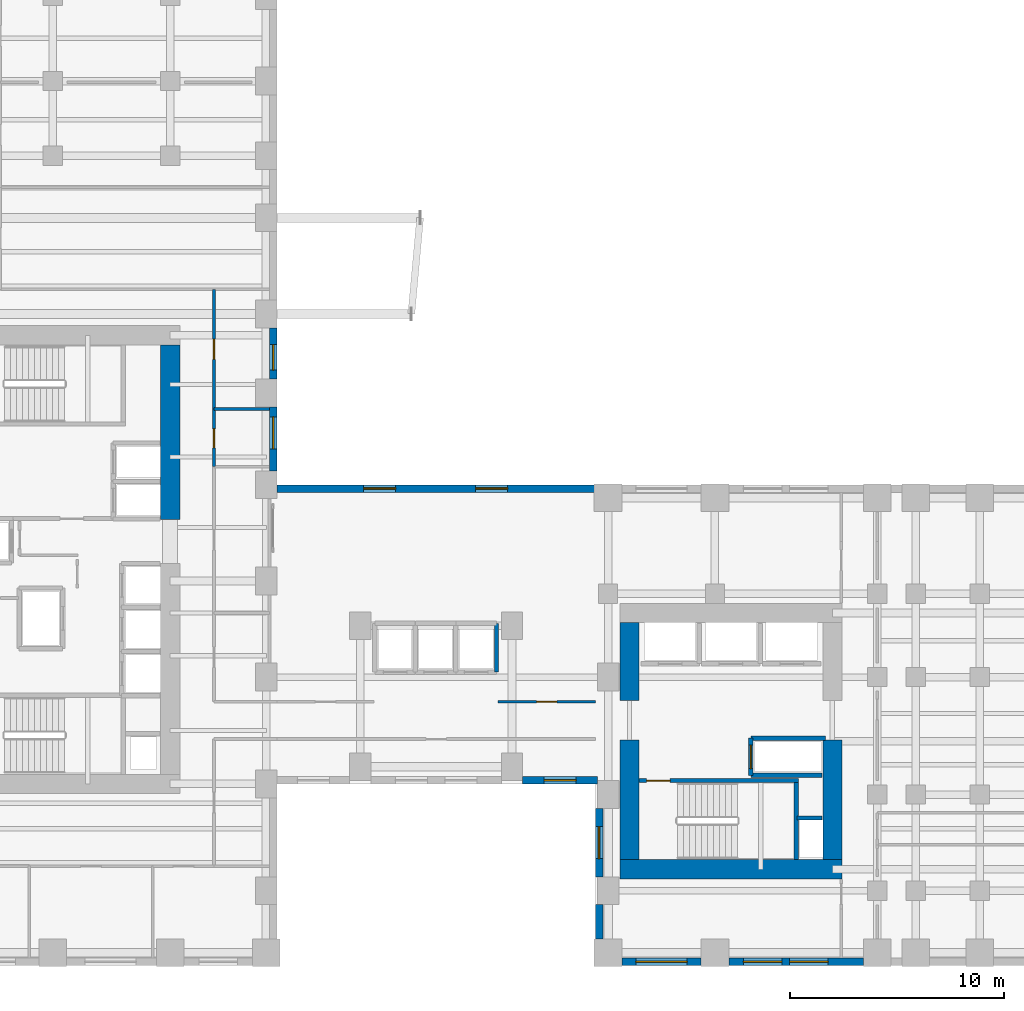
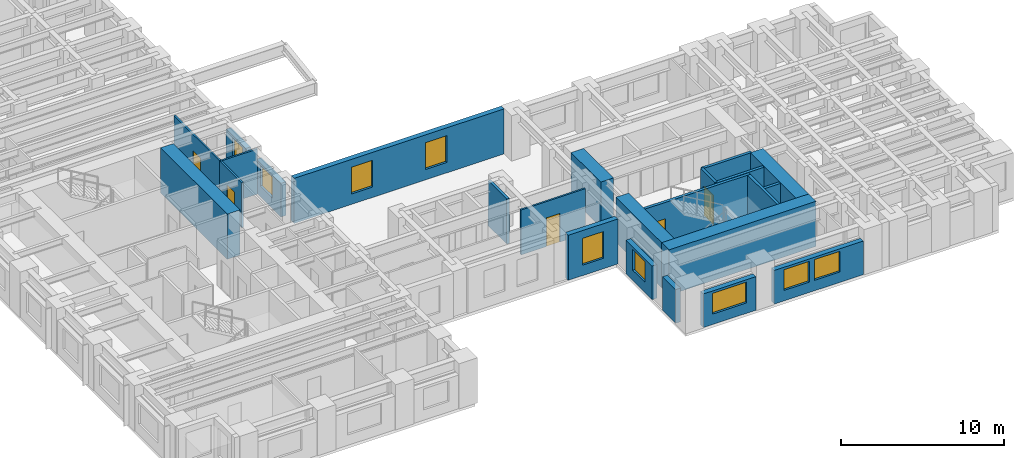
# One storey, part 9 of 15: 24 walls, 9 windows, 5 doors, 14 openings.
"""IFC4 building model written with IfcOpenShell, lengths in metres."""

from ifc_helpers import new_model, si_unit, direction, frame, frame_2d, origin, place, context, subcontext, project, spatial, rectangle, extrude, source, transform, mapped, material, layer, layer_set, type_object, element, fill, save


model = new_model("IFC4")

# Units and contexts
model_context = context("Model", 3, precision=1e-05, world=origin(), true_north=direction((0.0, 1.0)))
body_context = subcontext(model_context, "Body", "Model", "MODEL_VIEW")
ifc_project = project(units=[si_unit("LENGTHUNIT", "METRE"), si_unit("AREAUNIT", "SQUARE_METRE"), si_unit("VOLUMEUNIT", "CUBIC_METRE"), si_unit("PLANEANGLEUNIT", "RADIAN"), si_unit("MASSUNIT", "GRAM", prefix="KILO")], contexts=[model_context])

# Site, building, storey
site_placement = place(None, origin())
site = spatial("IfcSite", under=ifc_project, at=site_placement, CompositionType="ELEMENT")
building_placement = place(site_placement, origin())
building = spatial("IfcBuilding", under=site, at=building_placement, Name="Kharzan Plaza Tower", CompositionType="ELEMENT")
storey_placement = place(building_placement, frame((0.0, 0.0, 22.5)))
storey = spatial("IfcBuildingStorey", under=building, at=storey_placement, Name="L05", CompositionType="ELEMENT", Elevation=22.5)

# Wall, opening, window
ifc_material_1 = material(Name="Concrete C40/50", Category="concrete")
ifc_layer_1 = layer(ifc_material_1, 0.35009765625)
ifc_layer_set_1 = layer_set([ifc_layer_1], Name="Concrete C40/50")
wall_type_1 = type_object("IfcWallType", Name="WL-EXT-MAS-Z1", PredefinedType="SOLIDWALL", material=ifc_layer_set_1)
wall_1_placement = place(storey_placement, frame((30.998046875, 8.675048828125, 0.0), z_axis=(0.0, 0.0, 1.0), x_axis=(1.0, 0.0, 0.0)))
wall_1 = element("IfcWall", 1, at=wall_1_placement, inside=storey, type_object=wall_type_1, Name="L05 Masonry-Frame Exterior Wall 30", PredefinedType="SOLIDWALL", context=body_context, shape_type="SweptSolid", body=[
    extrude(rectangle(XDim=3.50390625, YDim=0.35009765625, at=frame_2d((1.751953125, 0.0))), origin(), (0.0, 0.0, 1.0), 3.364990234375),
])
opening_1_placement = place(wall_1_placement, frame((1.001953125, 0.0, 0.780029296875)))
opening_1 = element("IfcOpeningElement", 2, at=opening_1_placement, cuts=wall_1, Name="Opening W5", PredefinedType="OPENING", context=body_context, shape_type="SweptSolid", body=[
    extrude(rectangle(XDim=1.5, YDim=2.0, at=frame_2d((0.75, 1.0))), frame((0.0, 0.18505859375, 0.0), z_axis=(0.0, -1.0, 0.0), x_axis=(1.0, 0.0, 0.0)), (0.0, 0.0, 1.0), 0.3701171875),
])
ifc_material_2 = material(Name="Low-E Double Glazing", Category="glass")
window_type_1 = type_object("IfcWindowType", Name="WN-SLT-1500x2000", PartitioningType="SINGLE_PANEL", PredefinedType="WINDOW", material=ifc_material_2)
shared_shape_1 = source(origin(), body_context, "Body", "SweptSolid", [
    extrude(rectangle(XDim=1.5, YDim=2.0, at=frame_2d((0.75, 1.0))), frame((0.0, 0.030029296875, 0.0), z_axis=(0.0, -1.0, 0.0), x_axis=(1.0, 0.0, 0.0)), (0.0, 0.0, 1.0), 0.06005859375),
])
window_1_placement = place(opening_1_placement, origin())
window_1 = element("IfcWindow", 3, at=window_1_placement, inside=storey, type_object=window_type_1, Name="L05 Recessed Solar-Control Window 30-1", OverallHeight=2.0, OverallWidth=1.5, PartitioningType="SINGLE_PANEL", PredefinedType="WINDOW", context=body_context, shape_type="MappedRepresentation", body=[
    mapped(shared_shape_1, transform((0.0, 0.0, 0.0), x_axis=(1.0, 0.0, 0.0), y_axis=(0.0, 1.0, 0.0), z_axis=(0.0, 0.0, 1.0))),
])
fill(opening_1, window_1)

wall_2_placement = place(storey_placement, frame((34.574951171875, 7.35205078125, 0.0), z_axis=(0.0, 0.0, 1.0), x_axis=(0.0, -1.0, 0.0)))
wall_2 = element("IfcWall", 4, at=wall_2_placement, inside=storey, type_object=wall_type_1, Name="L05 Masonry-Frame Exterior Wall 31", PredefinedType="SOLIDWALL", context=body_context, shape_type="SweptSolid", body=[
    extrude(rectangle(XDim=3.2041015625, YDim=0.35009765625, at=frame_2d((1.60205078125, 0.0))), origin(), (0.0, 0.0, 1.0), 2.510009765625),
])
opening_2_placement = place(wall_2_placement, frame((0.85205078125, 0.0, 0.780029296875)))
opening_2 = element("IfcOpeningElement", 5, at=opening_2_placement, cuts=wall_2, Name="Opening W5", PredefinedType="OPENING", context=body_context, shape_type="SweptSolid", body=[
    extrude(rectangle(XDim=1.5, YDim=1.550048828125, at=frame_2d((0.75, 0.77490234375))), frame((0.0, 0.18505859375, 0.0), z_axis=(0.0, -1.0, 0.0), x_axis=(1.0, 0.0, 0.0)), (0.0, 0.0, 1.0), 0.3701171875),
])
shared_shape_2 = source(origin(), body_context, "Body", "SweptSolid", [
    extrude(rectangle(XDim=1.5, YDim=1.550048828125, at=frame_2d((0.75, 0.77490234375))), frame((0.0, 0.030029296875, 0.0), z_axis=(0.0, -1.0, 0.0), x_axis=(1.0, 0.0, 0.0)), (0.0, 0.0, 1.0), 0.06005859375),
])
window_2_placement = place(opening_2_placement, origin())
window_2 = element("IfcWindow", 6, at=window_2_placement, inside=storey, type_object=window_type_1, Name="L05 Recessed Solar-Control Window 31-1", OverallHeight=1.550048828125, OverallWidth=1.5, PartitioningType="SINGLE_PANEL", PredefinedType="WINDOW", context=body_context, shape_type="MappedRepresentation", body=[
    mapped(shared_shape_2, transform((0.0, 0.0, 0.0), x_axis=(1.0, 0.0, 0.0), y_axis=(0.0, 1.0, 0.0), z_axis=(0.0, 0.0, 1.0))),
])
fill(opening_2, window_2)

wall_3_placement = place(storey_placement, frame((35.64794921875, 0.175048828125, 0.0), z_axis=(0.0, 0.0, 1.0), x_axis=(1.0, 0.0, 0.0)))
wall_3 = element("IfcWall", 7, at=wall_3_placement, inside=storey, type_object=wall_type_1, Name="L05 Masonry-Frame Exterior Wall 33", PredefinedType="SOLIDWALL", context=body_context, shape_type="SweptSolid", body=[
    extrude(rectangle(XDim=3.7041015625, YDim=0.35009765625, at=frame_2d((1.85205078125, 0.0))), origin(), (0.0, 0.0, 1.0), 2.510009765625),
])
opening_3_placement = place(wall_3_placement, frame((0.652099609375, 0.0, 0.780029296875)))
opening_3 = element("IfcOpeningElement", 8, at=opening_3_placement, cuts=wall_3, Name="Opening W2", PredefinedType="OPENING", context=body_context, shape_type="SweptSolid", body=[
    extrude(rectangle(XDim=2.39990234375, YDim=1.550048828125, at=frame_2d((1.199951171875, 0.77490234375))), frame((0.0, 0.18505859375, 0.0), z_axis=(0.0, -1.0, 0.0), x_axis=(1.0, 0.0, 0.0)), (0.0, 0.0, 1.0), 0.3701171875),
])
window_type_2 = type_object("IfcWindowType", Name="WN-REC-2400x2100", PartitioningType="SINGLE_PANEL", PredefinedType="WINDOW", material=ifc_material_2)
shared_shape_3 = source(origin(), body_context, "Body", "SweptSolid", [
    extrude(rectangle(XDim=2.39990234375, YDim=1.550048828125, at=frame_2d((1.199951171875, 0.77490234375))), frame((0.0, 0.030029296875, 0.0), z_axis=(0.0, -1.0, 0.0), x_axis=(1.0, 0.0, 0.0)), (0.0, 0.0, 1.0), 0.06005859375),
])
window_3_placement = place(opening_3_placement, origin())
window_3 = element("IfcWindow", 9, at=window_3_placement, inside=storey, type_object=window_type_2, Name="L05 Wide Recessed Solar-Control Window 33-1", OverallHeight=1.550048828125, OverallWidth=2.39990234375, PartitioningType="SINGLE_PANEL", PredefinedType="WINDOW", context=body_context, shape_type="MappedRepresentation", body=[
    mapped(shared_shape_3, transform((0.0, 0.0, 0.0), x_axis=(1.0, 0.0, 0.0), y_axis=(0.0, 1.0, 0.0), z_axis=(0.0, 0.0, 1.0))),
])
fill(opening_3, window_3)

# Wall, openings, windows
wall_4_placement = place(storey_placement, frame((40.64794921875, 0.175048828125, 0.0), z_axis=(0.0, 0.0, 1.0), x_axis=(1.0, 0.0, 0.0)))
wall_4 = element("IfcWall", 10, at=wall_4_placement, inside=storey, type_object=wall_type_1, Name="L05 Masonry-Frame Exterior Wall 34", PredefinedType="SOLIDWALL", context=body_context, shape_type="SweptSolid", body=[
    extrude(rectangle(XDim=6.303955078125, YDim=0.35009765625, at=frame_2d((3.15185546875, 0.0))), origin(), (0.0, 0.0, 1.0), 2.510009765625),
])
opening_4_placement = place(wall_4_placement, frame((0.687255859375, 0.0, 0.780029296875)))
opening_4 = element("IfcOpeningElement", 11, at=opening_4_placement, cuts=wall_4, Name="Opening W1", PredefinedType="OPENING", context=body_context, shape_type="SweptSolid", body=[
    extrude(rectangle(XDim=1.800048828125, YDim=1.550048828125, at=frame_2d((0.89990234375, 0.77490234375))), frame((0.0, 0.18505859375, 0.0), z_axis=(0.0, -1.0, 0.0), x_axis=(1.0, 0.0, 0.0)), (0.0, 0.0, 1.0), 0.3701171875),
])
opening_5_placement = place(wall_4_placement, frame((2.854736328125, 0.0, 0.780029296875)))
opening_5 = element("IfcOpeningElement", 12, at=opening_5_placement, cuts=wall_4, Name="Opening W1", PredefinedType="OPENING", context=body_context, shape_type="SweptSolid", body=[
    extrude(rectangle(XDim=1.800048828125, YDim=1.550048828125, at=frame_2d((0.89990234375, 0.77490234375))), frame((0.0, 0.18505859375, 0.0), z_axis=(0.0, -1.0, 0.0), x_axis=(1.0, 0.0, 0.0)), (0.0, 0.0, 1.0), 0.3701171875),
])
window_type_3 = type_object("IfcWindowType", Name="WN-REC-1800x2100", PartitioningType="SINGLE_PANEL", PredefinedType="WINDOW", material=ifc_material_2)
shared_shape_4 = source(origin(), body_context, "Body", "SweptSolid", [
    extrude(rectangle(XDim=1.800048828125, YDim=1.550048828125, at=frame_2d((0.89990234375, 0.77490234375))), frame((0.0, 0.030029296875, 0.0), z_axis=(0.0, -1.0, 0.0), x_axis=(1.0, 0.0, 0.0)), (0.0, 0.0, 1.0), 0.06005859375),
])
window_4_placement = place(opening_4_placement, origin())
window_4 = element("IfcWindow", 13, at=window_4_placement, inside=storey, type_object=window_type_3, Name="L05 Recessed Solar-Control Window 34-1", OverallHeight=1.550048828125, OverallWidth=1.800048828125, PartitioningType="SINGLE_PANEL", PredefinedType="WINDOW", context=body_context, shape_type="MappedRepresentation", body=[
    mapped(shared_shape_4, transform((0.0, 0.0, 0.0), x_axis=(1.0, 0.0, 0.0), y_axis=(0.0, 1.0, 0.0), z_axis=(0.0, 0.0, 1.0))),
])
fill(opening_4, window_4)
window_5_placement = place(opening_5_placement, origin())
window_5 = element("IfcWindow", 14, at=window_5_placement, inside=storey, type_object=window_type_3, Name="L05 Recessed Solar-Control Window 34-2", OverallHeight=1.550048828125, OverallWidth=1.800048828125, PartitioningType="SINGLE_PANEL", PredefinedType="WINDOW", context=body_context, shape_type="MappedRepresentation", body=[
    mapped(shared_shape_4, transform((0.0, 0.0, 0.0), x_axis=(1.0, 0.0, 0.0), y_axis=(0.0, 1.0, 0.0), z_axis=(0.0, 0.0, 1.0))),
])
fill(opening_5, window_5)

wall_5_placement = place(storey_placement, frame((34.35205078125, 22.324951171875, 0.0), z_axis=(0.0, 0.0, 1.0), x_axis=(-1.0, 0.0, 0.0)))
wall_5 = element("IfcWall", 15, at=wall_5_placement, inside=storey, type_object=wall_type_1, Name="L05 Masonry-Frame Exterior Wall 53", PredefinedType="SOLIDWALL", context=body_context, shape_type="SweptSolid", body=[
    extrude(rectangle(XDim=14.85400390625, YDim=0.35009765625, at=frame_2d((7.427001953125, 0.0))), origin(), (0.0, 0.0, 1.0), 3.364990234375),
])
opening_6_placement = place(wall_5_placement, frame((4.05810546875, 0.0, 0.780029296875)))
opening_6 = element("IfcOpeningElement", 16, at=opening_6_placement, cuts=wall_5, Name="Opening W5", PredefinedType="OPENING", context=body_context, shape_type="SweptSolid", body=[
    extrude(rectangle(XDim=1.5, YDim=2.0, at=frame_2d((0.75, 1.0))), frame((0.0, 0.18505859375, 0.0), z_axis=(0.0, -1.0, 0.0), x_axis=(1.0, 0.0, 0.0)), (0.0, 0.0, 1.0), 0.3701171875),
])
opening_7_placement = place(wall_5_placement, frame((9.2958984375, 0.0, 0.780029296875)))
opening_7 = element("IfcOpeningElement", 17, at=opening_7_placement, cuts=wall_5, Name="Opening W5", PredefinedType="OPENING", context=body_context, shape_type="SweptSolid", body=[
    extrude(rectangle(XDim=1.5, YDim=2.0, at=frame_2d((0.75, 1.0))), frame((0.0, 0.18505859375, 0.0), z_axis=(0.0, -1.0, 0.0), x_axis=(1.0, 0.0, 0.0)), (0.0, 0.0, 1.0), 0.3701171875),
])
window_6_placement = place(opening_6_placement, origin())
window_6 = element("IfcWindow", 18, at=window_6_placement, inside=storey, type_object=window_type_1, Name="L05 Recessed Solar-Control Window 53-1", OverallHeight=2.0, OverallWidth=1.5, PartitioningType="SINGLE_PANEL", PredefinedType="WINDOW", context=body_context, shape_type="MappedRepresentation", body=[
    mapped(shared_shape_1, transform((0.0, 0.0, 0.0), x_axis=(1.0, 0.0, 0.0), y_axis=(0.0, 1.0, 0.0), z_axis=(0.0, 0.0, 1.0))),
])
fill(opening_6, window_6)
window_7_placement = place(opening_7_placement, origin())
window_7 = element("IfcWindow", 19, at=window_7_placement, inside=storey, type_object=window_type_1, Name="L05 Recessed Solar-Control Window 53-2", OverallHeight=2.0, OverallWidth=1.5, PartitioningType="SINGLE_PANEL", PredefinedType="WINDOW", context=body_context, shape_type="MappedRepresentation", body=[
    mapped(shared_shape_1, transform((0.0, 0.0, 0.0), x_axis=(1.0, 0.0, 0.0), y_axis=(0.0, 1.0, 0.0), z_axis=(0.0, 0.0, 1.0))),
])
fill(opening_7, window_7)

# Wall, opening, window
wall_6_placement = place(storey_placement, frame((19.324951171875, 23.14794921875, 0.0), z_axis=(0.0, 0.0, 1.0), x_axis=(0.0, 1.0, 0.0)))
wall_6 = element("IfcWall", 20, at=wall_6_placement, inside=storey, type_object=wall_type_1, Name="L05 Masonry-Frame Exterior Wall 54", PredefinedType="SOLIDWALL", context=body_context, shape_type="SweptSolid", body=[
    extrude(rectangle(XDim=3.004150390625, YDim=0.35009765625, at=frame_2d((1.501953125, 0.0))), origin(), (0.0, 0.0, 1.0), 2.510009765625),
])
opening_8_placement = place(wall_6_placement, frame((1.030517578125, 0.0, 0.780029296875)))
opening_8 = element("IfcOpeningElement", 21, at=opening_8_placement, cuts=wall_6, Name="Opening W5", PredefinedType="OPENING", context=body_context, shape_type="SweptSolid", body=[
    extrude(rectangle(XDim=1.5, YDim=1.550048828125, at=frame_2d((0.75, 0.77490234375))), frame((0.0, 0.18505859375, 0.0), z_axis=(0.0, -1.0, 0.0), x_axis=(1.0, 0.0, 0.0)), (0.0, 0.0, 1.0), 0.3701171875),
])
window_8_placement = place(opening_8_placement, origin())
window_8 = element("IfcWindow", 22, at=window_8_placement, inside=storey, type_object=window_type_1, Name="L05 Recessed Solar-Control Window 54-1", OverallHeight=1.550048828125, OverallWidth=1.5, PartitioningType="SINGLE_PANEL", PredefinedType="WINDOW", context=body_context, shape_type="MappedRepresentation", body=[
    mapped(shared_shape_2, transform((0.0, 0.0, 0.0), x_axis=(1.0, 0.0, 0.0), y_axis=(0.0, 1.0, 0.0), z_axis=(0.0, 0.0, 1.0))),
])
fill(opening_8, window_8)

wall_7_placement = place(storey_placement, frame((19.324951171875, 27.447998046875, 0.0), z_axis=(0.0, 0.0, 1.0), x_axis=(0.0, 1.0, 0.0)))
wall_7 = element("IfcWall", 23, at=wall_7_placement, inside=storey, type_object=wall_type_1, Name="L05 Masonry-Frame Exterior Wall 55", PredefinedType="SOLIDWALL", context=body_context, shape_type="SweptSolid", body=[
    extrude(rectangle(XDim=2.404052734375, YDim=0.35009765625, at=frame_2d((1.2021484375, 0.0))), origin(), (0.0, 0.0, 1.0), 2.510009765625),
])
opening_9_placement = place(wall_7_placement, frame((0.417236328125, 0.0, 0.780029296875)))
opening_9 = element("IfcOpeningElement", 24, at=opening_9_placement, cuts=wall_7, Name="Opening W3", PredefinedType="OPENING", context=body_context, shape_type="SweptSolid", body=[
    extrude(rectangle(XDim=1.199951171875, YDim=1.550048828125, at=frame_2d((0.60009765625, 0.77490234375))), frame((0.0, 0.18505859375, 0.0), z_axis=(0.0, -1.0, 0.0), x_axis=(1.0, 0.0, 0.0)), (0.0, 0.0, 1.0), 0.3701171875),
])
window_type_4 = type_object("IfcWindowType", Name="WN-REC-1200x2100", PartitioningType="SINGLE_PANEL", PredefinedType="WINDOW", material=ifc_material_2)
shared_shape_5 = source(origin(), body_context, "Body", "SweptSolid", [
    extrude(rectangle(XDim=1.199951171875, YDim=1.550048828125, at=frame_2d((0.60009765625, 0.77490234375))), frame((0.0, 0.030029296875, 0.0), z_axis=(0.0, -1.0, 0.0), x_axis=(1.0, 0.0, 0.0)), (0.0, 0.0, 1.0), 0.06005859375),
])
window_9_placement = place(opening_9_placement, origin())
window_9 = element("IfcWindow", 25, at=window_9_placement, inside=storey, type_object=window_type_4, Name="L05 Recessed Solar-Control Window 55-1", OverallHeight=1.550048828125, OverallWidth=1.199951171875, PartitioningType="SINGLE_PANEL", PredefinedType="WINDOW", context=body_context, shape_type="MappedRepresentation", body=[
    mapped(shared_shape_5, transform((0.0, 0.0, 0.0), x_axis=(1.0, 0.0, 0.0), y_axis=(0.0, 1.0, 0.0), z_axis=(0.0, 0.0, 1.0))),
])
fill(opening_9, window_9)

# Wall, opening, door
ifc_material_3 = material(Name="Fire-Rated Gypsum Board Partition", Category="gypsum")
ifc_layer_2 = layer(ifc_material_3, 0.125)
ifc_layer_set_2 = layer_set([ifc_layer_2], Name="Fire-Rated Gypsum Board Partition")
wall_type_2 = type_object("IfcWallType", Name="WL-INT-PART-125", PredefinedType="PARTITIONING", material=ifc_layer_set_2)
wall_8_placement = place(storey_placement, frame((16.550048828125, 26.050048828125, 0.0), z_axis=(0.0, 0.0, 1.0), x_axis=(0.0, 1.0, 0.0)))
wall_8 = element("IfcWall", 26, at=wall_8_placement, inside=storey, type_object=wall_type_2, Name="L05 Interior Partition SH-AEWN3", PredefinedType="PARTITIONING", context=body_context, shape_type="SweptSolid", body=[
    extrude(rectangle(XDim=5.599853515625, YDim=0.125, at=frame_2d((2.7998046875, 0.0))), origin(), (0.0, 0.0, 1.0), 3.364990234375),
])
opening_10_placement = place(wall_8_placement, frame((2.324951171875, 0.0, 0.0)))
opening_10 = element("IfcOpeningElement", 27, at=opening_10_placement, cuts=wall_8, Name="Opening OD1", PredefinedType="OPENING", context=body_context, shape_type="SweptSolid", body=[
    extrude(rectangle(XDim=0.949951171875, YDim=2.14990234375, at=frame_2d((0.47509765625, 1.074951171875))), frame((0.0, 0.072509765625, 0.0), z_axis=(0.0, -1.0, 0.0), x_axis=(1.0, 0.0, 0.0)), (0.0, 0.0, 1.0), 0.14501953125),
])
ifc_material_4 = material(Name="Acoustic Solid-Core Stained Oak", Category="timber")
door_type_1 = type_object("IfcDoorType", Name="DR-OFF-SINGLE", OperationType="NOTDEFINED", PredefinedType="DOOR", material=ifc_material_4)
shared_shape_6 = source(origin(), body_context, "Body", "SweptSolid", [
    extrude(rectangle(XDim=0.949951171875, YDim=2.14990234375, at=frame_2d((0.47509765625, 1.074951171875))), frame((0.0, 0.02490234375, 0.0), z_axis=(0.0, -1.0, 0.0), x_axis=(1.0, 0.0, 0.0)), (0.0, 0.0, 1.0), 0.050048828125),
])
door_1_placement = place(opening_10_placement, origin())
door_1 = element("IfcDoor", 28, at=door_1_placement, inside=storey, type_object=door_type_1, Name="L05 Staff Tea Point Door", OperationType="SINGLE_SWING_RIGHT", OverallHeight=2.14990234375, OverallWidth=0.949951171875, PredefinedType="DOOR", context=body_context, shape_type="MappedRepresentation", body=[
    mapped(shared_shape_6, transform((0.0, 0.0, 0.0), x_axis=(1.0, 0.0, 0.0), y_axis=(0.0, 1.0, 0.0), z_axis=(0.0, 0.0, 1.0))),
])
fill(opening_10, door_1)

wall_9_placement = place(storey_placement, frame((16.550048828125, 23.35009765625, 0.0), z_axis=(0.0, 0.0, 1.0), x_axis=(0.0, 1.0, 0.0)))
wall_9 = element("IfcWall", 29, at=wall_9_placement, inside=storey, type_object=wall_type_2, Name="L05 Interior Partition SH-AEWW", PredefinedType="PARTITIONING", context=body_context, shape_type="SweptSolid", body=[
    extrude(rectangle(XDim=2.699951171875, YDim=0.125, at=frame_2d((1.35009765625, 0.0))), origin(), (0.0, 0.0, 1.0), 3.364990234375),
])
opening_11_placement = place(wall_9_placement, frame((0.875, 0.0, 0.0)))
opening_11 = element("IfcOpeningElement", 30, at=opening_11_placement, cuts=wall_9, Name="Opening WD1", PredefinedType="OPENING", context=body_context, shape_type="SweptSolid", body=[
    extrude(rectangle(XDim=0.89990234375, YDim=2.14990234375, at=frame_2d((0.449951171875, 1.074951171875))), frame((0.0, 0.072509765625, 0.0), z_axis=(0.0, -1.0, 0.0), x_axis=(1.0, 0.0, 0.0)), (0.0, 0.0, 1.0), 0.14501953125),
])
ifc_material_5 = material(Name="Moisture-Resistant Fire-Rated Laminate", Category="timber")
door_type_2 = type_object("IfcDoorType", Name="DR-WC-900", OperationType="NOTDEFINED", PredefinedType="DOOR", material=ifc_material_5)
shared_shape_7 = source(origin(), body_context, "Body", "SweptSolid", [
    extrude(rectangle(XDim=0.89990234375, YDim=2.14990234375, at=frame_2d((0.449951171875, 1.074951171875))), frame((0.0, 0.02490234375, 0.0), z_axis=(0.0, -1.0, 0.0), x_axis=(1.0, 0.0, 0.0)), (0.0, 0.0, 1.0), 0.050048828125),
])
door_2_placement = place(opening_11_placement, origin())
door_2 = element("IfcDoor", 31, at=door_2_placement, inside=storey, type_object=door_type_2, Name="L05 Wing A Washroom Door", OperationType="SINGLE_SWING_LEFT", OverallHeight=2.14990234375, OverallWidth=0.89990234375, PredefinedType="DOOR", context=body_context, shape_type="MappedRepresentation", body=[
    mapped(shared_shape_7, transform((0.0, 0.0, 0.0), x_axis=(1.0, 0.0, 0.0), y_axis=(0.0, 1.0, 0.0), z_axis=(0.0, 0.0, 1.0))),
])
fill(opening_11, door_2)

wall_10_placement = place(storey_placement, frame((29.85009765625, 12.35009765625, 0.0), z_axis=(0.0, 0.0, 1.0), x_axis=(1.0, 0.0, 0.0)))
wall_10 = element("IfcWall", 32, at=wall_10_placement, inside=storey, type_object=wall_type_2, Name="L05 Interior Partition SH-SPNE1", PredefinedType="PARTITIONING", context=body_context, shape_type="SweptSolid", body=[
    extrude(rectangle(XDim=4.5498046875, YDim=0.125, at=frame_2d((2.27490234375, 0.0))), origin(), (0.0, 0.0, 1.0), 3.364990234375),
])
opening_12_placement = place(wall_10_placement, frame((1.800048828125, 0.0, 0.0)))
opening_12 = element("IfcOpeningElement", 33, at=opening_12_placement, cuts=wall_10, Name="Opening OD1", PredefinedType="OPENING", context=body_context, shape_type="SweptSolid", body=[
    extrude(rectangle(XDim=0.949951171875, YDim=2.14990234375, at=frame_2d((0.47509765625, 1.074951171875))), frame((0.0, 0.072509765625, 0.0), z_axis=(0.0, -1.0, 0.0), x_axis=(1.0, 0.0, 0.0)), (0.0, 0.0, 1.0), 0.14501953125),
])
door_3_placement = place(opening_12_placement, origin())
door_3 = element("IfcDoor", 34, at=door_3_placement, inside=storey, type_object=door_type_1, Name="L05 North-East Spine Door", OperationType="SINGLE_SWING_LEFT", OverallHeight=2.14990234375, OverallWidth=0.949951171875, PredefinedType="DOOR", context=body_context, shape_type="MappedRepresentation", body=[
    mapped(shared_shape_6, transform((0.0, 0.0, 0.0), x_axis=(1.0, 0.0, 0.0), y_axis=(0.0, 1.0, 0.0), z_axis=(0.0, 0.0, 1.0))),
])
fill(opening_12, door_3)

ifc_layer_3 = layer(ifc_material_1, 0.199951171875)
ifc_layer_set_3 = layer_set([ifc_layer_3], Name="Concrete C40/50")
wall_type_3 = type_object("IfcWallType", Name="WL-INT-SHAFT-200", PredefinedType="PARTITIONING", material=ifc_layer_set_3)
wall_11_placement = place(storey_placement, frame((41.679931640625, 8.89990234375, 0.0), z_axis=(0.0, 0.0, 1.0), x_axis=(0.0, 1.0, 0.0)))
wall_11 = element("IfcWall", 35, at=wall_11_placement, inside=storey, type_object=wall_type_3, Name="L05 Interior Partition SHF-SVL-2-W", PredefinedType="PARTITIONING", context=body_context, shape_type="SweptSolid", body=[
    extrude(rectangle(XDim=1.739990234375, YDim=0.199951171875, at=frame_2d((0.8701171875, 0.0))), origin(), (0.0, 0.0, 1.0), 3.364990234375),
])
opening_13_placement = place(wall_11_placement, frame((0.320068359375, 0.0, 0.0)))
opening_13 = element("IfcOpeningElement", 36, at=opening_13_placement, cuts=wall_11, Name="Opening LD", PredefinedType="OPENING", context=body_context, shape_type="SweptSolid", body=[
    extrude(rectangle(XDim=1.10009765625, YDim=2.199951171875, at=frame_2d((0.550048828125, 1.10009765625))), frame((0.0, 0.10986328125, 0.0), z_axis=(0.0, -1.0, 0.0), x_axis=(1.0, 0.0, 0.0)), (0.0, 0.0, 1.0), 0.219970703125),
])
ifc_material_6 = material(Name="Brushed Stainless Steel", Category="steel")
door_type_3 = type_object("IfcDoorType", Name="DR-LIFT-SLIDE", OperationType="SLIDING_TO_LEFT", PredefinedType="DOOR", material=ifc_material_6)
shared_shape_8 = source(origin(), body_context, "Body", "SweptSolid", [
    extrude(rectangle(XDim=1.10009765625, YDim=2.199951171875, at=frame_2d((0.550048828125, 1.10009765625))), frame((0.0, 0.02490234375, 0.0), z_axis=(0.0, -1.0, 0.0), x_axis=(1.0, 0.0, 0.0)), (0.0, 0.0, 1.0), 0.050048828125),
])
door_4_placement = place(opening_13_placement, origin())
door_4 = element("IfcDoor", 37, at=door_4_placement, inside=storey, type_object=door_type_3, Name="L05 Service Lift SVL-2 Sliding Landing Door", OperationType="SLIDING_TO_LEFT", OverallHeight=2.199951171875, OverallWidth=1.10009765625, PredefinedType="DOOR", context=body_context, shape_type="MappedRepresentation", body=[
    mapped(shared_shape_8, transform((0.0, 0.0, 0.0), x_axis=(1.0, 0.0, 0.0), y_axis=(0.0, 1.0, 0.0), z_axis=(0.0, 0.0, 1.0))),
])
fill(opening_13, door_4)

ifc_material_7 = material(Name="Concrete C50/60", Category="concrete")
ifc_layer_4 = layer(ifc_material_7, 0.199951171875)
ifc_layer_set_4 = layer_set([ifc_layer_4], Name="Concrete C50/60")
wall_type_4 = type_object("IfcWallType", Name="WL-SHAFT-RC200", PredefinedType="SHEAR", material=ifc_layer_set_4)
wall_12_placement = place(storey_placement, frame((36.451904296875, 8.655029296875, 0.0), z_axis=(0.0, 0.0, 1.0), x_axis=(1.0, 0.0, 0.0)))
wall_12 = element("IfcWall", 38, at=wall_12_placement, inside=storey, type_object=wall_type_4, Name="L05 Stair ST-3 North RC Shaft Wall", PredefinedType="SHEAR", context=body_context, shape_type="SweptSolid", body=[
    extrude(rectangle(XDim=7.453125, YDim=0.199951171875, at=frame_2d((3.7265625, 0.0))), origin(), (0.0, 0.0, 1.0), 3.3798828125),
])
opening_14_placement = place(wall_12_placement, frame((0.35009765625, 0.0, 0.0)))
opening_14 = element("IfcOpeningElement", 39, at=opening_14_placement, cuts=wall_12, Name="Opening SD1", PredefinedType="OPENING", context=body_context, shape_type="SweptSolid", body=[
    extrude(rectangle(XDim=1.10009765625, YDim=2.14990234375, at=frame_2d((0.550048828125, 1.074951171875))), frame((0.0, 0.10986328125, 0.0), z_axis=(0.0, -1.0, 0.0), x_axis=(1.0, 0.0, 0.0)), (0.0, 0.0, 1.0), 0.219970703125),
])
ifc_material_8 = material(Name="Fire-Rated Hollow Galvanized Steel", Category="steel")
door_type_4 = type_object("IfcDoorType", Name="DR-STAIR-FD120", OperationType="NOTDEFINED", PredefinedType="DOOR", material=ifc_material_8)
shared_shape_9 = source(origin(), body_context, "Body", "SweptSolid", [
    extrude(rectangle(XDim=1.10009765625, YDim=2.14990234375, at=frame_2d((0.550048828125, 1.074951171875))), frame((0.0, 0.02490234375, 0.0), z_axis=(0.0, -1.0, 0.0), x_axis=(1.0, 0.0, 0.0)), (0.0, 0.0, 1.0), 0.050048828125),
])
door_5_placement = place(opening_14_placement, origin())
door_5 = element("IfcDoor", 40, at=door_5_placement, inside=storey, type_object=door_type_4, Name="L05 Stair ST-3 Fire Exit Door", OperationType="SINGLE_SWING_RIGHT", OverallHeight=2.14990234375, OverallWidth=1.10009765625, PredefinedType="DOOR", context=body_context, shape_type="MappedRepresentation", body=[
    mapped(shared_shape_9, transform((0.0, 0.0, 0.0), x_axis=(1.0, 0.0, 0.0), y_axis=(0.0, 1.0, 0.0), z_axis=(0.0, 0.0, 1.0))),
])
fill(opening_14, door_5)

# Walls
ifc_material_9 = material(Name="Concrete C60/75", Category="concrete")
ifc_layer_5 = layer(ifc_material_9, 0.89990234375)
ifc_layer_set_5 = layer_set([ifc_layer_5], Name="Concrete C60/75")
wall_type_5 = type_object("IfcWallType", Name="WL-CORE-900", PredefinedType="SHEAR", material=ifc_layer_set_5)
shared_shape_10 = source(origin(), body_context, "Body", "SweptSolid", [
    extrude(rectangle(XDim=8.170166015625, YDim=0.89990234375, at=frame_2d((4.0849609375, 0.0))), origin(), (0.0, 0.0, 1.0), 3.3798828125),
])
wall_13_placement = place(storey_placement, frame((14.5, 20.8798828125, 0.0), z_axis=(0.0, 0.0, 1.0), x_axis=(0.0, 1.0, 0.0)))
element("IfcWall", 41, at=wall_13_placement, inside=storey, type_object=wall_type_5, Name="L05 CORE-A east shear pier 2", PredefinedType="SHEAR", context=body_context, shape_type="MappedRepresentation", body=[
    mapped(shared_shape_10, transform((0.0, 0.0, 0.0), x_axis=(1.0, 0.0, 0.0), y_axis=(0.0, 1.0, 0.0), z_axis=(0.0, 0.0, 1.0))),
])
shared_shape_11 = source(origin(), body_context, "Body", "SweptSolid", [
    extrude(rectangle(XDim=5.60009765625, YDim=0.89990234375, at=frame_2d((2.800048828125, 0.0))), origin(), (0.0, 0.0, 1.0), 3.3798828125),
])
for number, where, z_axis, x_axis, name in (
    (42, (45.5, 4.949951171875, 0.0), (0.0, 0.0, 1.0), (0.0, 1.0, 0.0), "L05 CORE-B east shear pier 1"),
    (43, (36.0, 4.949951171875, 0.0), (0.0, 0.0, 1.0), (0.0, 1.0, 0.0), "L05 CORE-B west shear pier 1"),
):
    element("IfcWall", number, at=place(storey_placement, frame(where, z_axis=z_axis, x_axis=x_axis)), inside=storey, type_object=wall_type_5, Name=name, PredefinedType="SHEAR", context=body_context, shape_type="MappedRepresentation", body=[
        mapped(shared_shape_11, transform((0.0, 0.0, 0.0), x_axis=(1.0, 0.0, 0.0), y_axis=(0.0, 1.0, 0.0), z_axis=(0.0, 0.0, 1.0))),
    ])
shared_shape_12 = source(origin(), body_context, "Body", "SweptSolid", [
    extrude(rectangle(XDim=3.650146484375, YDim=0.89990234375, at=frame_2d((1.8251953125, 0.0))), origin(), (0.0, 0.0, 1.0), 3.3798828125),
])
wall_14_placement = place(storey_placement, frame((36.0, 12.39990234375, 0.0), z_axis=(0.0, 0.0, 1.0), x_axis=(0.0, 1.0, 0.0)))
element("IfcWall", 44, at=wall_14_placement, inside=storey, type_object=wall_type_5, Name="L05 CORE-B west shear pier 2", PredefinedType="SHEAR", context=body_context, shape_type="MappedRepresentation", body=[
    mapped(shared_shape_12, transform((0.0, 0.0, 0.0), x_axis=(1.0, 0.0, 0.0), y_axis=(0.0, 1.0, 0.0), z_axis=(0.0, 0.0, 1.0))),
])
shared_shape_13 = source(origin(), body_context, "Body", "SweptSolid", [
    extrude(rectangle(XDim=10.39990234375, YDim=0.89990234375, at=frame_2d((5.199951171875, 0.0))), origin(), (0.0, 0.0, 1.0), 3.3798828125),
])
wall_15_placement = place(storey_placement, frame((35.550048828125, 4.5, 0.0), z_axis=(0.0, 0.0, 1.0), x_axis=(1.0, 0.0, 0.0)))
element("IfcWall", 45, at=wall_15_placement, inside=storey, type_object=wall_type_5, Name="L05 CORE-B south RC shear wall", PredefinedType="SHEAR", context=body_context, shape_type="MappedRepresentation", body=[
    mapped(shared_shape_13, transform((0.0, 0.0, 0.0), x_axis=(1.0, 0.0, 0.0), y_axis=(0.0, 1.0, 0.0), z_axis=(0.0, 0.0, 1.0))),
])
shared_shape_14 = source(origin(), body_context, "Body", "SweptSolid", [
    extrude(rectangle(XDim=1.60400390625, YDim=0.35009765625, at=frame_2d((0.802001953125, 0.0))), origin(), (0.0, 0.0, 1.0), 2.510009765625),
])
wall_16_placement = place(storey_placement, frame((34.574951171875, 2.85205078125, 0.0), z_axis=(0.0, 0.0, 1.0), x_axis=(0.0, -1.0, 0.0)))
element("IfcWall", 46, at=wall_16_placement, inside=storey, type_object=wall_type_1, Name="L05 Masonry-Frame Exterior Wall 32", PredefinedType="SOLIDWALL", context=body_context, shape_type="MappedRepresentation", body=[
    mapped(shared_shape_14, transform((0.0, 0.0, 0.0), x_axis=(1.0, 0.0, 0.0), y_axis=(0.0, 1.0, 0.0), z_axis=(0.0, 0.0, 1.0))),
])
shared_shape_15 = source(origin(), body_context, "Body", "SweptSolid", [
    extrude(rectangle(XDim=2.597900390625, YDim=0.125, at=frame_2d((1.298828125, 0.0))), origin(), (0.0, 0.0, 1.0), 3.364990234375),
])
wall_17_placement = place(storey_placement, frame((16.550048828125, 26.050048828125, 0.0), z_axis=(0.0, 0.0, 1.0), x_axis=(1.0, 0.0, 0.0)))
element("IfcWall", 47, at=wall_17_placement, inside=storey, type_object=wall_type_2, Name="L05 Interior Partition SH-AEH-260", PredefinedType="PARTITIONING", context=body_context, shape_type="MappedRepresentation", body=[
    mapped(shared_shape_15, transform((0.0, 0.0, 0.0), x_axis=(1.0, 0.0, 0.0), y_axis=(0.0, 1.0, 0.0), z_axis=(0.0, 0.0, 1.0))),
])
shared_shape_16 = source(origin(), body_context, "Body", "SweptSolid", [
    extrude(rectangle(XDim=1.169921875, YDim=0.199951171875, at=frame_2d((0.5849609375, 0.0))), origin(), (0.0, 0.0, 1.0), 3.364990234375),
])
wall_18_placement = place(storey_placement, frame((43.85009765625, 6.89990234375, 0.0), z_axis=(0.0, 0.0, 1.0), x_axis=(1.0, 0.0, 0.0)))
element("IfcWall", 48, at=wall_18_placement, inside=storey, type_object=wall_type_3, Name="L05 Interior Partition CB-RSRB-N", PredefinedType="PARTITIONING", context=body_context, shape_type="MappedRepresentation", body=[
    mapped(shared_shape_16, transform((0.0, 0.0, 0.0), x_axis=(1.0, 0.0, 0.0), y_axis=(0.0, 1.0, 0.0), z_axis=(0.0, 0.0, 1.0))),
])
shared_shape_17 = source(origin(), body_context, "Body", "SweptSolid", [
    extrude(rectangle(XDim=2.2900390625, YDim=0.199951171875, at=frame_2d((1.14501953125, 0.0))), origin(), (0.0, 0.0, 1.0), 3.364990234375),
])
wall_19_placement = place(storey_placement, frame((29.77001953125, 13.72998046875, 0.0), z_axis=(0.0, 0.0, 1.0), x_axis=(0.0, 1.0, 0.0)))
element("IfcWall", 49, at=wall_19_placement, inside=storey, type_object=wall_type_3, Name="L05 Interior Partition SHF-PL-M3-E", PredefinedType="PARTITIONING", context=body_context, shape_type="MappedRepresentation", body=[
    mapped(shared_shape_17, transform((0.0, 0.0, 0.0), x_axis=(1.0, 0.0, 0.0), y_axis=(0.0, 1.0, 0.0), z_axis=(0.0, 0.0, 1.0))),
])
shared_shape_18 = source(origin(), body_context, "Body", "SweptSolid", [
    extrude(rectangle(XDim=3.489990234375, YDim=0.199951171875, at=frame_2d((1.7451171875, 0.0))), origin(), (0.0, 0.0, 1.0), 3.364990234375),
])
wall_20_placement = place(storey_placement, frame((41.679931640625, 10.639892578125, 0.0), z_axis=(0.0, 0.0, 1.0), x_axis=(1.0, 0.0, 0.0)))
element("IfcWall", 50, at=wall_20_placement, inside=storey, type_object=wall_type_3, Name="L05 Interior Partition SHF-SVL-2-N", PredefinedType="PARTITIONING", context=body_context, shape_type="MappedRepresentation", body=[
    mapped(shared_shape_18, transform((0.0, 0.0, 0.0), x_axis=(1.0, 0.0, 0.0), y_axis=(0.0, 1.0, 0.0), z_axis=(0.0, 0.0, 1.0))),
])
shared_shape_19 = source(origin(), body_context, "Body", "SweptSolid", [
    extrude(rectangle(XDim=3.340087890625, YDim=0.199951171875, at=frame_2d((1.669921875, 0.0))), origin(), (0.0, 0.0, 1.0), 3.364990234375),
])
wall_21_placement = place(storey_placement, frame((41.679931640625, 8.89990234375, 0.0), z_axis=(0.0, 0.0, 1.0), x_axis=(1.0, 0.0, 0.0)))
element("IfcWall", 51, at=wall_21_placement, inside=storey, type_object=wall_type_3, Name="L05 Interior Partition SHF-SVL-2-S", PredefinedType="PARTITIONING", context=body_context, shape_type="MappedRepresentation", body=[
    mapped(shared_shape_19, transform((0.0, 0.0, 0.0), x_axis=(1.0, 0.0, 0.0), y_axis=(0.0, 1.0, 0.0), z_axis=(0.0, 0.0, 1.0))),
])
shared_shape_20 = source(origin(), body_context, "Body", "SweptSolid", [
    extrude(rectangle(XDim=3.60302734375, YDim=0.199951171875, at=frame_2d((1.801513671875, 0.0))), origin(), (0.0, 0.0, 1.0), 3.3798828125),
])
wall_22_placement = place(storey_placement, frame((43.804931640625, 4.951904296875, 0.0), z_axis=(0.0, 0.0, 1.0), x_axis=(0.0, 1.0, 0.0)))
element("IfcWall", 52, at=wall_22_placement, inside=storey, type_object=wall_type_4, Name="L05 Stair ST-3 East RC Shaft Wall", PredefinedType="SHEAR", context=body_context, shape_type="MappedRepresentation", body=[
    mapped(shared_shape_20, transform((0.0, 0.0, 0.0), x_axis=(1.0, 0.0, 0.0), y_axis=(0.0, 1.0, 0.0), z_axis=(0.0, 0.0, 1.0))),
])

save(model, "model.ifc")
